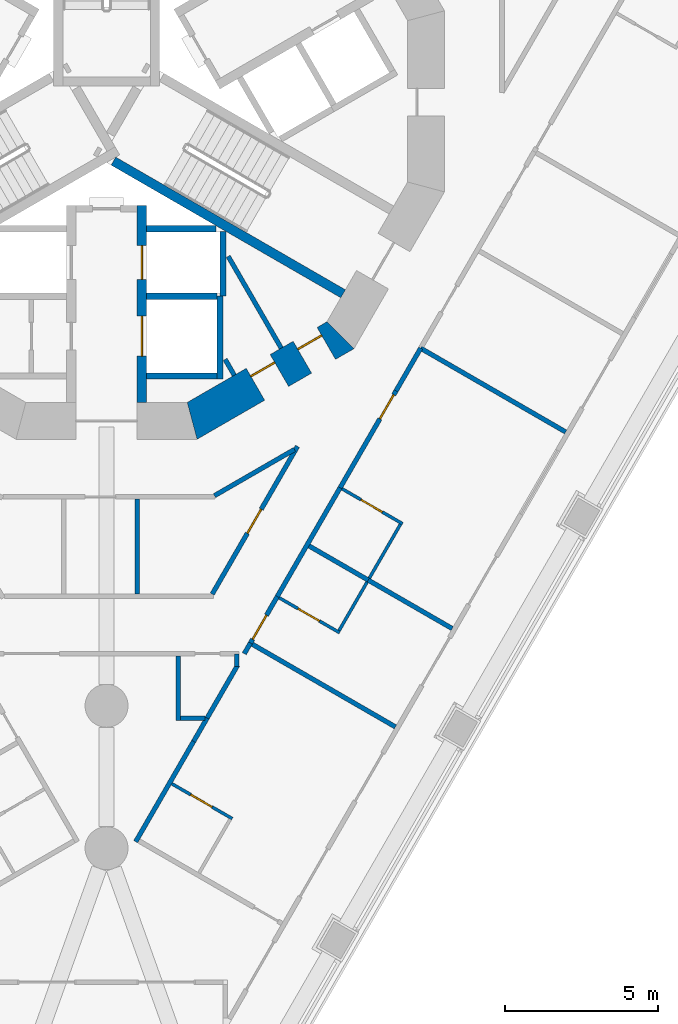
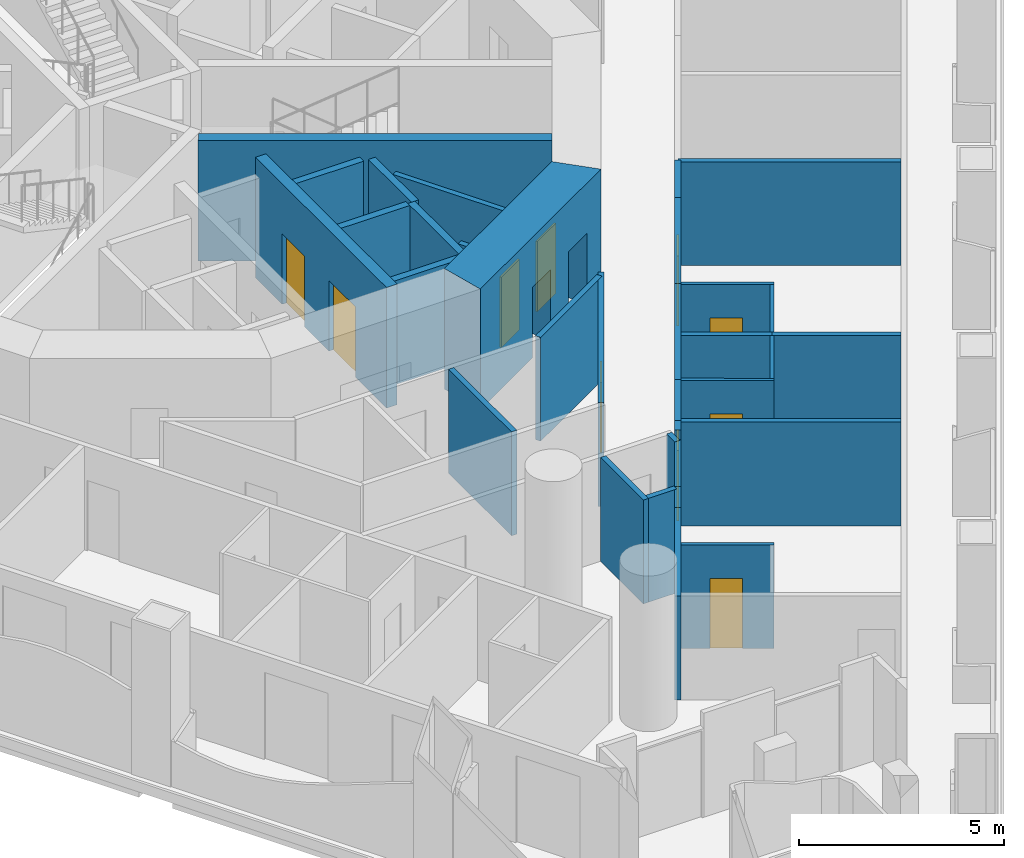
# One storey, part 4 of 19: 33 walls, 10 doors, 10 openings.
"""IFC4 building model written with IfcOpenShell, lengths in metres."""

from ifc_helpers import new_model, si_unit, direction, frame, frame_2d, origin, place, context, subcontext, project, spatial, polyline, rectangle, outline, extrude, material, layer, layer_set, type_object, element, fill, save


model = new_model("IFC4")

# Units and contexts
model_context = context("Model", 3, precision=1e-05, world=origin(), true_north=direction((0.0, 1.0)))
body_context = subcontext(model_context, "Body", "Model", "MODEL_VIEW")
ifc_project = project(units=[si_unit("LENGTHUNIT", "METRE"), si_unit("AREAUNIT", "SQUARE_METRE"), si_unit("VOLUMEUNIT", "CUBIC_METRE"), si_unit("PLANEANGLEUNIT", "RADIAN"), si_unit("MASSUNIT", "GRAM", prefix="KILO")], contexts=[model_context])

# Site, building, storey
site_placement = place(None, origin())
site = spatial("IfcSite", under=ifc_project, at=site_placement, CompositionType="ELEMENT")
building_placement = place(site_placement, origin())
building = spatial("IfcBuilding", under=site, at=building_placement, Name="Trine Commons Tower", CompositionType="ELEMENT")
storey_placement = place(building_placement, frame((0.0, 0.0, 42.300048828125)))
storey = spatial("IfcBuildingStorey", under=building, at=storey_placement, Name="L09", CompositionType="ELEMENT", Elevation=42.300048828125)

# Walls
ifc_material_1 = material(Name="Plasterboard partition on steel studs", Category="steel")
ifc_layer_1 = layer(ifc_material_1, 0.14990234375)
ifc_layer_set_1 = layer_set([ifc_layer_1], Name="Plasterboard partition on steel studs")
wall_type_1 = type_object("IfcWallType", Name="Core room partition 150 mm, EI 60", PredefinedType="PARTITIONING", material=ifc_layer_set_1)
wall_1_placement = place(storey_placement, frame((84.1640625, 53.574951171875, 0.0), z_axis=(0.0, 0.0, 1.0), x_axis=(-0.500665675203, 0.865640734759, 0.0)))
element("IfcWall", 1, at=wall_1_placement, inside=storey, type_object=wall_type_1, Name="Core room partition L09", PredefinedType="PARTITIONING", context=body_context, shape_type="SweptSolid", body=[
    extrude(rectangle(XDim=0.597412109375, YDim=0.14990234375, at=frame_2d((0.298828125, 0.0))), origin(), (0.0, 0.0, 1.0), 3.099853515625),
])
wall_2_placement = place(storey_placement, frame((85.693115234375, 54.4580078125, 0.0), z_axis=(0.0, 0.0, 1.0), x_axis=(-0.500258757272, 0.865875958653, 0.0)))
element("IfcWall", 2, at=wall_2_placement, inside=storey, type_object=wall_type_1, Name="Core room partition L09", PredefinedType="PARTITIONING", context=body_context, shape_type="SweptSolid", body=[
    extrude(rectangle(XDim=3.454345703125, YDim=0.14990234375, at=frame_2d((1.72705078125, 0.0))), origin(), (0.0, 0.0, 1.0), 3.099853515625),
])

# Wall, openings, doors
ifc_material_2 = material(Name="Concrete C80/95", Category="concrete")
ifc_layer_2 = layer(ifc_material_2, 1.199951171875)
ifc_layer_set_2 = layer_set([ifc_layer_2], Name="Concrete C80/95")
wall_type_2 = type_object("IfcWallType", Name="RC shear wall 1200 mm, C80/95", PredefinedType="SHEAR", material=ifc_layer_set_2)
wall_3_placement = place(storey_placement, frame((82.650390625, 52.008056640625, 0.0), z_axis=(0.0, 0.0, 1.0), x_axis=(0.866037463336, 0.499979111662, 0.0)))
wall_3 = element("IfcWall", 3, at=wall_3_placement, inside=storey, type_object=wall_type_2, Name="Core wall CWA-11 L09", PredefinedType="SHEAR", context=body_context, shape_type="SweptSolid", body=[
    extrude(outline(polyline([(0.0, -0.60009765625), (5.901123046875, -0.60009765625), (5.57958984375, 0.60009765625), (0.321533203125, 0.60009765625), (0.0, -0.60009765625)])), origin(), (0.0, 0.0, 1.0), 3.599853515625),
])
opening_1_placement = place(wall_3_placement, frame((2.543701171875, 0.0, 0.0)))
opening_1 = element("IfcOpeningElement", 4, at=opening_1_placement, cuts=wall_3, Name="Opening K04.16", PredefinedType="OPENING", context=body_context, shape_type="SweptSolid", body=[
    extrude(rectangle(XDim=0.89990234375, YDim=2.10009765625, at=frame_2d((0.449951171875, 1.050048828125))), frame((0.0, 0.60986328125, 0.0), z_axis=(0.0, -1.0, 0.0), x_axis=(1.0, 0.0, 0.0)), (0.0, 0.0, 1.0), 1.219970703125),
])
opening_2_placement = place(wall_3_placement, frame((4.308837890625, 0.0, 0.0)))
opening_2 = element("IfcOpeningElement", 5, at=opening_2_placement, cuts=wall_3, Name="Opening K04.17", PredefinedType="OPENING", context=body_context, shape_type="SweptSolid", body=[
    extrude(rectangle(XDim=0.89990234375, YDim=2.10009765625, at=frame_2d((0.449951171875, 1.050048828125))), frame((0.0, 0.60986328125, 0.0), z_axis=(0.0, -1.0, 0.0), x_axis=(1.0, 0.0, 0.0)), (0.0, 0.0, 1.0), 1.219970703125),
])
ifc_material_3 = material(Name="Steel door leaf, fire-rated", Category="steel")
door_type_1 = type_object("IfcDoorType", Name="Core room door, single leaf 900 x 2100, FD30S", OperationType="SINGLE_SWING_LEFT", PredefinedType="DOOR", material=ifc_material_3)
door_1_placement = place(opening_1_placement, origin())
door_1 = element("IfcDoor", 6, at=door_1_placement, inside=storey, type_object=door_type_1, Name="Door to Linen store L09", OperationType="SINGLE_SWING_RIGHT", OverallHeight=2.10009765625, OverallWidth=0.89990234375, PredefinedType="DOOR", context=body_context, shape_type="SweptSolid", body=[
    extrude(rectangle(XDim=0.89990234375, YDim=2.10009765625, at=frame_2d((0.449951171875, 1.050048828125))), frame((0.0, 0.3251953125, 0.0), z_axis=(0.0, -1.0, 0.0), x_axis=(1.0, 0.0, 0.0)), (0.0, 0.0, 1.0), 0.050048828125),
])
fill(opening_1, door_1)
door_2_placement = place(opening_2_placement, origin())
door_2 = element("IfcDoor", 7, at=door_2_placement, inside=storey, type_object=door_type_1, Name="Door to Pantry L09", OperationType="SINGLE_SWING_RIGHT", OverallHeight=2.10009765625, OverallWidth=0.89990234375, PredefinedType="DOOR", context=body_context, shape_type="SweptSolid", body=[
    extrude(rectangle(XDim=0.89990234375, YDim=2.10009765625, at=frame_2d((0.449951171875, 1.050048828125))), frame((0.0, 0.3251953125, 0.0), z_axis=(0.0, -1.0, 0.0), x_axis=(1.0, 0.0, 0.0)), (0.0, 0.0, 1.0), 0.050048828125),
])
fill(opening_2, door_2)

ifc_layer_3 = layer(ifc_material_2, 0.300048828125)
ifc_layer_set_3 = layer_set([ifc_layer_3], Name="Concrete C80/95")
wall_type_3 = type_object("IfcWallType", Name="RC shear wall 300 mm, C80/95", PredefinedType="SHEAR", material=ifc_layer_set_3)
wall_4_placement = place(storey_placement, frame((81.14990234375, 59.10009765625, 0.0), z_axis=(0.0, 0.0, 1.0), x_axis=(0.0, -1.0, 0.0)))
wall_4 = element("IfcWall", 8, at=wall_4_placement, inside=storey, type_object=wall_type_3, Name="Core cross wall SWA-04 L09", PredefinedType="SHEAR", context=body_context, shape_type="SweptSolid", body=[
    extrude(rectangle(XDim=6.412109375, YDim=0.300048828125, at=frame_2d((3.2060546875, 0.0))), origin(), (0.0, 0.0, 1.0), 3.599853515625),
])
opening_3_placement = place(wall_4_placement, frame((3.60009765625, 0.0, 0.0)))
opening_3 = element("IfcOpeningElement", 9, at=opening_3_placement, cuts=wall_4, Name="Opening LD11", PredefinedType="OPENING", context=body_context, shape_type="SweptSolid", body=[
    extrude(rectangle(XDim=1.300048828125, YDim=2.10009765625, at=frame_2d((0.64990234375, 1.050048828125))), frame((0.0, 0.159912109375, 0.0), z_axis=(0.0, -1.0, 0.0), x_axis=(1.0, 0.0, 0.0)), (0.0, 0.0, 1.0), 0.320068359375),
])
opening_4_placement = place(wall_4_placement, frame((1.300048828125, 0.0, 0.0)))
opening_4 = element("IfcOpeningElement", 10, at=opening_4_placement, cuts=wall_4, Name="Opening LD9", PredefinedType="OPENING", context=body_context, shape_type="SweptSolid", body=[
    extrude(rectangle(XDim=1.10009765625, YDim=2.10009765625, at=frame_2d((0.550048828125, 1.050048828125))), frame((0.0, 0.159912109375, 0.0), z_axis=(0.0, -1.0, 0.0), x_axis=(1.0, 0.0, 0.0)), (0.0, 0.0, 1.0), 0.320068359375),
])
ifc_material_4 = material(Name="Stainless steel sliding door leaves", Category="steel")
door_type_2 = type_object("IfcDoorType", Name="Lift landing door, centre-opening sliding 1100 x 2100, FD90", OperationType="DOUBLE_DOOR_SLIDING", PredefinedType="DOOR", material=ifc_material_4)
door_3_placement = place(opening_4_placement, origin())
door_3 = element("IfcDoor", 11, at=door_3_placement, inside=storey, type_object=door_type_2, Name="Lift landing door FF1 L09", OperationType="DOUBLE_DOOR_SLIDING", OverallHeight=2.10009765625, OverallWidth=1.10009765625, PredefinedType="DOOR", context=body_context, shape_type="SweptSolid", body=[
    extrude(rectangle(XDim=1.10009765625, YDim=2.10009765625, at=frame_2d((0.550048828125, 1.050048828125))), frame((0.0, 0.02490234375, 0.0), z_axis=(0.0, -1.0, 0.0), x_axis=(1.0, 0.0, 0.0)), (0.0, 0.0, 1.0), 0.050048828125),
])
fill(opening_4, door_3)
door_type_3 = type_object("IfcDoorType", Name="Lift landing door, centre-opening sliding 1300 x 2100, FD90", OperationType="DOUBLE_DOOR_SLIDING", PredefinedType="DOOR", material=ifc_material_4)
door_4_placement = place(opening_3_placement, origin())
door_4 = element("IfcDoor", 12, at=door_4_placement, inside=storey, type_object=door_type_3, Name="Lift landing door G1 L09", OperationType="DOUBLE_DOOR_SLIDING", OverallHeight=2.10009765625, OverallWidth=1.300048828125, PredefinedType="DOOR", context=body_context, shape_type="SweptSolid", body=[
    extrude(rectangle(XDim=1.300048828125, YDim=2.10009765625, at=frame_2d((0.64990234375, 1.050048828125))), frame((0.0, 0.02490234375, 0.0), z_axis=(0.0, -1.0, 0.0), x_axis=(1.0, 0.0, 0.0)), (0.0, 0.0, 1.0), 0.050048828125),
])
fill(opening_3, door_4)

# Walls
wall_5_placement = place(storey_placement, frame((80.22509765625, 60.552001953125, 0.0), z_axis=(0.0, 0.0, 1.0), x_axis=(0.865965399159, -0.500103916661, 0.0)))
element("IfcWall", 13, at=wall_5_placement, inside=storey, type_object=wall_type_3, Name="Core cross wall SWA-13 L09", PredefinedType="SHEAR", context=body_context, shape_type="SweptSolid", body=[
    extrude(rectangle(XDim=8.642333984375, YDim=0.300048828125, at=frame_2d((4.3212890625, 0.0))), origin(), (0.0, 0.0, 1.0), 3.599853515625),
])
ifc_material_5 = material(Name="Fire-rated gypsum shaft wall system")
ifc_layer_4 = layer(ifc_material_5, 0.199951171875)
ifc_layer_set_4 = layer_set([ifc_layer_4], Name="Fire-rated gypsum shaft wall system")
wall_type_4 = type_object("IfcWallType", Name="Shaft wall 200 mm, EI 120", PredefinedType="PARTITIONING", material=ifc_layer_set_4)
for number, where, z_axis, x_axis, name in (
    (14, (81.300048828125, 53.550048828125, 0.0), (0.0, 0.0, 1.0), (1.0, 0.0, 0.0), "Shaft wall L09"),
    (15, (81.300048828125, 56.14990234375, 0.0), (0.0, 0.0, 1.0), (1.0, 0.0, 0.0), "Shaft wall L09"),
):
    element("IfcWall", number, at=place(storey_placement, frame(where, z_axis=z_axis, x_axis=x_axis)), inside=storey, type_object=wall_type_4, Name=name, PredefinedType="PARTITIONING", context=body_context, shape_type="SweptSolid", body=[
        extrude(rectangle(XDim=2.300048828125, YDim=0.199951171875, at=frame_2d((1.14990234375, 0.0))), origin(), (0.0, 0.0, 1.0), 3.099853515625),
    ])
wall_6_placement = place(storey_placement, frame((81.300048828125, 58.35009765625, 0.0), z_axis=(0.0, 0.0, 1.0), x_axis=(1.0, 0.0, 0.0)))
element("IfcWall", 16, at=wall_6_placement, inside=storey, type_object=wall_type_4, Name="Shaft wall L09", PredefinedType="PARTITIONING", context=body_context, shape_type="SweptSolid", body=[
    extrude(rectangle(XDim=2.264892578125, YDim=0.199951171875, at=frame_2d((1.13232421875, 0.0))), origin(), (0.0, 0.0, 1.0), 3.099853515625),
])
wall_7_placement = place(storey_placement, frame((83.699951171875, 56.14990234375, 0.0), z_axis=(0.0, 0.0, 1.0), x_axis=(0.0, -1.0, 0.0)))
element("IfcWall", 17, at=wall_7_placement, inside=storey, type_object=wall_type_4, Name="Shaft wall L09", PredefinedType="PARTITIONING", context=body_context, shape_type="SweptSolid", body=[
    extrude(rectangle(XDim=2.699951171875, YDim=0.199951171875, at=frame_2d((1.35009765625, 0.0))), origin(), (0.0, 0.0, 1.0), 3.099853515625),
])
wall_8_placement = place(storey_placement, frame((83.800048828125, 58.256103515625, 0.0), z_axis=(0.0, 0.0, 1.0), x_axis=(0.0, -1.0, 0.0)))
element("IfcWall", 18, at=wall_8_placement, inside=storey, type_object=wall_type_4, Name="Shaft wall L09", PredefinedType="PARTITIONING", context=body_context, shape_type="SweptSolid", body=[
    extrude(rectangle(XDim=2.106201171875, YDim=0.199951171875, at=frame_2d((1.05322265625, 0.0))), origin(), (0.0, 0.0, 1.0), 3.099853515625),
])
ifc_material_6 = material(Name="Gypsum plasterboard on steel stud", Category="steel")
ifc_layer_5 = layer(ifc_material_6, 0.14990234375)
ifc_layer_set_5 = layer_set([ifc_layer_5], Name="Gypsum plasterboard on steel stud")
wall_type_5 = type_object("IfcWallType", Name="Unit and corridor wall 150 mm, EI 60", PredefinedType="PARTITIONING", material=ifc_layer_set_5)
wall_9_placement = place(storey_placement, frame((80.950439453125, 38.3740234375, 0.0), z_axis=(0.0, 0.0, 1.0), x_axis=(0.500125622755, 0.865952863304, 0.0)))
element("IfcWall", 19, at=wall_9_placement, inside=storey, type_object=wall_type_5, Name="Partition 062", PredefinedType="PARTITIONING", context=body_context, shape_type="SweptSolid", body=[
    extrude(rectangle(XDim=3.77392578125, YDim=0.14990234375, at=frame_2d((1.886962890625, 0.0))), origin(), (0.0, 0.0, 1.0), 3.099853515625),
])
wall_10_placement = place(storey_placement, frame((81.0, 46.452880859375, 0.0), z_axis=(0.0, 0.0, 1.0), x_axis=(0.0, 1.0, 0.0)))
element("IfcWall", 20, at=wall_10_placement, inside=storey, type_object=wall_type_5, Name="Partition 064", PredefinedType="PARTITIONING", context=body_context, shape_type="SweptSolid", body=[
    extrude(rectangle(XDim=3.085205078125, YDim=0.14990234375, at=frame_2d((1.54248046875, 0.0))), origin(), (0.0, 0.0, 1.0), 3.099853515625),
])
wall_11_placement = place(storey_placement, frame((82.340087890625, 42.327880859375, 0.0), z_axis=(0.0, 0.0, 1.0), x_axis=(0.0, 1.0, 0.0)))
element("IfcWall", 21, at=wall_11_placement, inside=storey, type_object=wall_type_5, Name="Partition 067", PredefinedType="PARTITIONING", context=body_context, shape_type="SweptSolid", body=[
    extrude(rectangle(XDim=2.10009765625, YDim=0.14990234375, at=frame_2d((1.050048828125, 0.0))), origin(), (0.0, 0.0, 1.0), 3.099853515625),
])
wall_12_placement = place(storey_placement, frame((82.4150390625, 42.403076171875, 0.0), z_axis=(0.0, 0.0, 1.0), x_axis=(1.0, 0.0, 0.0)))
element("IfcWall", 22, at=wall_12_placement, inside=storey, type_object=wall_type_5, Name="Partition 068", PredefinedType="PARTITIONING", context=body_context, shape_type="SweptSolid", body=[
    extrude(rectangle(XDim=0.786865234375, YDim=0.14990234375, at=frame_2d((0.3935546875, 0.0))), origin(), (0.0, 0.0, 1.0), 3.099853515625),
])
wall_13_placement = place(storey_placement, frame((82.837890625, 41.64208984375, 0.0), z_axis=(0.0, 0.0, 1.0), x_axis=(0.499874792173, 0.86609768049, 0.0)))
element("IfcWall", 23, at=wall_13_placement, inside=storey, type_object=wall_type_5, Name="Partition 069", PredefinedType="PARTITIONING", context=body_context, shape_type="SweptSolid", body=[
    extrude(rectangle(XDim=0.878662109375, YDim=0.14990234375, at=frame_2d((0.439453125, 0.0))), origin(), (0.0, 0.0, 1.0), 3.099853515625),
])
wall_14_placement = place(storey_placement, frame((83.277099609375, 42.403076171875, 0.0), z_axis=(0.0, 0.0, 1.0), x_axis=(0.500208453646, 0.865905019561, 0.0)))
element("IfcWall", 24, at=wall_14_placement, inside=storey, type_object=wall_type_5, Name="Partition 071", PredefinedType="PARTITIONING", context=body_context, shape_type="SweptSolid", body=[
    extrude(rectangle(XDim=2.000244140625, YDim=0.14990234375, at=frame_2d((1.0, 0.0))), origin(), (0.0, 0.0, 1.0), 3.099853515625),
])

# Wall, opening, door
wall_15_placement = place(storey_placement, frame((83.444580078125, 46.443115234375, 0.0), z_axis=(0.0, 0.0, 1.0), x_axis=(0.500003847982, 0.86602318214, 0.0)))
wall_15 = element("IfcWall", 25, at=wall_15_placement, inside=storey, type_object=wall_type_5, Name="Partition 074", PredefinedType="PARTITIONING", context=body_context, shape_type="SweptSolid", body=[
    extrude(rectangle(XDim=5.5576171875, YDim=0.14990234375, at=frame_2d((2.77880859375, 0.0))), origin(), (0.0, 0.0, 1.0), 3.099853515625),
])
opening_5_placement = place(wall_15_placement, frame((2.29150390625, 0.0, 0.0)))
opening_5 = element("IfcOpeningElement", 26, at=opening_5_placement, cuts=wall_15, Name="Opening D-1B31", PredefinedType="OPENING", context=body_context, shape_type="SweptSolid", body=[
    extrude(rectangle(XDim=0.89990234375, YDim=2.10009765625, at=frame_2d((0.449951171875, 1.050048828125))), frame((0.0, 0.0849609375, 0.0), z_axis=(0.0, -1.0, 0.0), x_axis=(1.0, 0.0, 0.0)), (0.0, 0.0, 1.0), 0.169921875),
])
ifc_material_7 = material(Name="Timber fire door set", Category="wood")
door_type_4 = type_object("IfcDoorType", Name="Service door 900 x 2100, FD30S", OperationType="NOTDEFINED", PredefinedType="DOOR", material=ifc_material_7)
door_5_placement = place(opening_5_placement, origin())
door_5 = element("IfcDoor", 27, at=door_5_placement, inside=storey, type_object=door_type_4, Name="Door D-1B31", OperationType="SINGLE_SWING_LEFT", OverallHeight=2.10009765625, OverallWidth=0.89990234375, PredefinedType="DOOR", context=body_context, shape_type="SweptSolid", body=[
    extrude(rectangle(XDim=0.89990234375, YDim=2.10009765625, at=frame_2d((0.449951171875, 1.050048828125))), frame((0.0, 0.02490234375, 0.0), z_axis=(0.0, -1.0, 0.0), x_axis=(1.0, 0.0, 0.0)), (0.0, 0.0, 1.0), 0.050048828125),
])
fill(opening_5, door_5)

# Walls
wall_16_placement = place(storey_placement, frame((83.517822265625, 49.650390625, 0.0), z_axis=(0.0, 0.0, 1.0), x_axis=(0.865962665808, 0.500108649621, 0.0)))
element("IfcWall", 28, at=wall_16_placement, inside=storey, type_object=wall_type_5, Name="Partition 075", PredefinedType="PARTITIONING", context=body_context, shape_type="SweptSolid", body=[
    extrude(rectangle(XDim=3.009521484375, YDim=0.14990234375, at=frame_2d((1.5048828125, 0.0))), origin(), (0.0, 0.0, 1.0), 3.099853515625),
])
wall_17_placement = place(storey_placement, frame((84.239990234375, 44.08642578125, 0.0), z_axis=(0.0, 0.0, 1.0), x_axis=(0.0, 1.0, 0.0)))
element("IfcWall", 29, at=wall_17_placement, inside=storey, type_object=wall_type_5, Name="Partition 076", PredefinedType="PARTITIONING", context=body_context, shape_type="SweptSolid", body=[
    extrude(rectangle(XDim=0.400146484375, YDim=0.14990234375, at=frame_2d((0.2001953125, 0.0))), origin(), (0.0, 0.0, 1.0), 3.099853515625),
])
wall_18_placement = place(storey_placement, frame((84.489501953125, 44.502197265625, 0.0), z_axis=(0.0, 0.0, 1.0), x_axis=(0.499880961361, 0.866094119867, 0.0)))
element("IfcWall", 30, at=wall_18_placement, inside=storey, type_object=wall_type_5, Name="Partition 077", PredefinedType="PARTITIONING", context=body_context, shape_type="SweptSolid", body=[
    extrude(rectangle(XDim=0.39990234375, YDim=0.14990234375, at=frame_2d((0.199951171875, 0.0))), origin(), (0.0, 0.0, 1.0), 3.099853515625),
])

# Wall, opening, door
wall_19_placement = place(storey_placement, frame((84.6484375, 44.777099609375, 0.0), z_axis=(0.0, 0.0, 1.0), x_axis=(0.499953268774, 0.866052382389, 0.0)))
wall_19 = element("IfcWall", 31, at=wall_19_placement, inside=storey, type_object=wall_type_5, Name="Partition 078", PredefinedType="PARTITIONING", context=body_context, shape_type="SweptSolid", body=[
    extrude(rectangle(XDim=1.831298828125, YDim=0.14990234375, at=frame_2d((0.91552734375, 0.0))), origin(), (0.0, 0.0, 1.0), 3.099853515625),
])
opening_6_placement = place(wall_19_placement, frame((0.22802734375, 0.0, 0.0)))
opening_6 = element("IfcOpeningElement", 32, at=opening_6_placement, cuts=wall_19, Name="Opening D-1B21", PredefinedType="OPENING", context=body_context, shape_type="SweptSolid", body=[
    extrude(rectangle(XDim=0.89990234375, YDim=2.10009765625, at=frame_2d((0.449951171875, 1.050048828125))), frame((0.0, 0.0849609375, 0.0), z_axis=(0.0, -1.0, 0.0), x_axis=(1.0, 0.0, 0.0)), (0.0, 0.0, 1.0), 0.169921875),
])
door_type_5 = type_object("IfcDoorType", Name="Bedroom door 900 x 2100, FD30S", OperationType="NOTDEFINED", PredefinedType="DOOR", material=ifc_material_7)
door_6_placement = place(opening_6_placement, frame((0.89990234375, 0.0, 0.0), z_axis=(0.0, 0.0, 1.0), x_axis=(-1.0, 0.0, 0.0)))
door_6 = element("IfcDoor", 33, at=door_6_placement, inside=storey, type_object=door_type_5, Name="Door D-1B21", OperationType="SINGLE_SWING_RIGHT", OverallHeight=2.10009765625, OverallWidth=0.89990234375, PredefinedType="DOOR", context=body_context, shape_type="SweptSolid", body=[
    extrude(rectangle(XDim=0.89990234375, YDim=2.10009765625, at=frame_2d((0.449951171875, 1.050048828125))), frame((0.0, 0.02490234375, 0.0), z_axis=(0.0, -1.0, 0.0), x_axis=(1.0, 0.0, 0.0)), (0.0, 0.0, 1.0), 0.050048828125),
])
fill(opening_6, door_6)

# Walls
wall_20_placement = place(storey_placement, frame((84.751953125, 44.8076171875, 0.0), z_axis=(0.0, 0.0, 1.0), x_axis=(0.866038326347, -0.499977616797, 0.0)))
element("IfcWall", 34, at=wall_20_placement, inside=storey, type_object=wall_type_5, Name="Partition 079", PredefinedType="PARTITIONING", context=body_context, shape_type="SweptSolid", body=[
    extrude(rectangle(XDim=5.383544921875, YDim=0.14990234375, at=frame_2d((2.69189453125, 0.0))), origin(), (0.0, 0.0, 1.0), 3.099853515625),
])
wall_21_placement = place(storey_placement, frame((85.56005859375, 46.35693359375, 0.0), z_axis=(0.0, 0.0, 1.0), x_axis=(0.500044870432, 0.865999496279, 0.0)))
element("IfcWall", 35, at=wall_21_placement, inside=storey, type_object=wall_type_5, Name="Partition 081", PredefinedType="PARTITIONING", context=body_context, shape_type="SweptSolid", body=[
    extrude(rectangle(XDim=4.107421875, YDim=0.14990234375, at=frame_2d((2.0537109375, 0.0))), origin(), (0.0, 0.0, 1.0), 3.099853515625),
])
wall_22_placement = place(storey_placement, frame((86.601806640625, 48.011474609375, 0.0), z_axis=(0.0, 0.0, 1.0), x_axis=(0.865944298464, -0.500140452231, 0.0)))
element("IfcWall", 36, at=wall_22_placement, inside=storey, type_object=wall_type_5, Name="Partition 083", PredefinedType="PARTITIONING", context=body_context, shape_type="SweptSolid", body=[
    extrude(rectangle(XDim=2.224365234375, YDim=0.14990234375, at=frame_2d((1.1123046875, 0.0))), origin(), (0.0, 0.0, 1.0), 3.099853515625),
])

# Wall, opening, door
wall_23_placement = place(storey_placement, frame((87.611083984375, 49.907958984375, 0.0), z_axis=(0.0, 0.0, 1.0), x_axis=(0.499948491166, 0.866055140381, 0.0)))
wall_23 = element("IfcWall", 37, at=wall_23_placement, inside=storey, type_object=wall_type_5, Name="Partition 087", PredefinedType="PARTITIONING", context=body_context, shape_type="SweptSolid", body=[
    extrude(rectangle(XDim=3.646484375, YDim=0.14990234375, at=frame_2d((1.8232421875, 0.0))), origin(), (0.0, 0.0, 1.0), 3.099853515625),
])
opening_7_placement = place(wall_23_placement, frame((2.596435546875, 0.0, 0.0)))
opening_7 = element("IfcOpeningElement", 38, at=opening_7_placement, cuts=wall_23, Name="Opening D-1B20", PredefinedType="OPENING", context=body_context, shape_type="SweptSolid", body=[
    extrude(rectangle(XDim=0.89990234375, YDim=2.10009765625, at=frame_2d((0.449951171875, 1.050048828125))), frame((0.0, 0.0849609375, 0.0), z_axis=(0.0, -1.0, 0.0), x_axis=(1.0, 0.0, 0.0)), (0.0, 0.0, 1.0), 0.169921875),
])
door_7_placement = place(opening_7_placement, frame((0.89990234375, 0.0, 0.0), z_axis=(0.0, 0.0, 1.0), x_axis=(-1.0, 0.0, 0.0)))
door_7 = element("IfcDoor", 39, at=door_7_placement, inside=storey, type_object=door_type_5, Name="Door D-1B20", OperationType="SINGLE_SWING_LEFT", OverallHeight=2.10009765625, OverallWidth=0.89990234375, PredefinedType="DOOR", context=body_context, shape_type="SweptSolid", body=[
    extrude(rectangle(XDim=0.89990234375, YDim=2.10009765625, at=frame_2d((0.449951171875, 1.050048828125))), frame((0.0, 0.02490234375, 0.0), z_axis=(0.0, -1.0, 0.0), x_axis=(1.0, 0.0, 0.0)), (0.0, 0.0, 1.0), 0.050048828125),
])
fill(opening_7, door_7)

# Walls
wall_24_placement = place(storey_placement, frame((88.528076171875, 46.89892578125, 0.0), z_axis=(0.0, 0.0, 1.0), x_axis=(0.866080039333, -0.499905356512, 0.0)))
element("IfcWall", 40, at=wall_24_placement, inside=storey, type_object=wall_type_5, Name="Partition 090", PredefinedType="PARTITIONING", context=body_context, shape_type="SweptSolid", body=[
    extrude(rectangle(XDim=3.158203125, YDim=0.14990234375, at=frame_2d((1.5791015625, 0.0))), origin(), (0.0, 0.0, 1.0), 3.099853515625),
])
wall_25_placement = place(storey_placement, frame((89.43408203125, 53.06591796875, 0.0), z_axis=(0.0, 0.0, 1.0), x_axis=(0.500108062855, 0.865963004676, 0.0)))
element("IfcWall", 41, at=wall_25_placement, inside=storey, type_object=wall_type_5, Name="Partition 093", PredefinedType="PARTITIONING", context=body_context, shape_type="SweptSolid", body=[
    extrude(rectangle(XDim=1.607666015625, YDim=0.14990234375, at=frame_2d((0.8037109375, 0.0))), origin(), (0.0, 0.0, 1.0), 3.099853515625),
])
wall_26_placement = place(storey_placement, frame((90.236083984375, 54.455078125, 0.0), z_axis=(0.0, 0.0, 1.0), x_axis=(0.866004557827, -0.500036104519, 0.0)))
element("IfcWall", 42, at=wall_26_placement, inside=storey, type_object=wall_type_5, Name="Partition 096", PredefinedType="PARTITIONING", context=body_context, shape_type="SweptSolid", body=[
    extrude(rectangle(XDim=5.45751953125, YDim=0.14990234375, at=frame_2d((2.728759765625, 0.0))), origin(), (0.0, 0.0, 1.0), 3.099853515625),
])

# Wall, opening, door
ifc_layer_6 = layer(ifc_material_6, 0.10009765625)
ifc_layer_set_6 = layer_set([ifc_layer_6], Name="Gypsum plasterboard on steel stud")
wall_type_6 = type_object("IfcWallType", Name="Unit partition 100 mm, no rating", PredefinedType="PARTITIONING", material=ifc_layer_set_6)
wall_27_placement = place(storey_placement, frame((82.1279296875, 40.262451171875, 0.0), z_axis=(0.0, 0.0, 1.0), x_axis=(0.866062295389, -0.499936096422, 0.0)))
wall_27 = element("IfcWall", 43, at=wall_27_placement, inside=storey, type_object=wall_type_6, Name="Partition 066", PredefinedType="PARTITIONING", context=body_context, shape_type="SweptSolid", body=[
    extrude(rectangle(XDim=2.275146484375, YDim=0.10009765625, at=frame_2d((1.1376953125, 0.0))), origin(), (0.0, 0.0, 1.0), 3.099853515625),
])
opening_8_placement = place(wall_27_placement, frame((0.712646484375, 0.0, 0.0)))
opening_8 = element("IfcOpeningElement", 44, at=opening_8_placement, cuts=wall_27, Name="Opening D-1B49", PredefinedType="OPENING", context=body_context, shape_type="SweptSolid", body=[
    extrude(rectangle(XDim=0.800048828125, YDim=2.10009765625, at=frame_2d((0.39990234375, 1.050048828125))), frame((0.0, 0.06005859375, 0.0), z_axis=(0.0, -1.0, 0.0), x_axis=(1.0, 0.0, 0.0)), (0.0, 0.0, 1.0), 0.1201171875),
])
ifc_material_8 = material(Name="Painted timber", Category="wood")
door_type_6 = type_object("IfcDoorType", Name="Internal door 800 x 2100, NOT RATED", OperationType="NOTDEFINED", PredefinedType="DOOR", material=ifc_material_8)
door_8_placement = place(opening_8_placement, origin())
door_8 = element("IfcDoor", 45, at=door_8_placement, inside=storey, type_object=door_type_6, Name="Door D-1B49", OperationType="SINGLE_SWING_LEFT", OverallHeight=2.10009765625, OverallWidth=0.800048828125, PredefinedType="DOOR", context=body_context, shape_type="SweptSolid", body=[
    extrude(rectangle(XDim=0.800048828125, YDim=2.10009765625, at=frame_2d((0.39990234375, 1.050048828125))), frame((0.0, 0.02490234375, 0.0), z_axis=(0.0, -1.0, 0.0), x_axis=(1.0, 0.0, 0.0)), (0.0, 0.0, 1.0), 0.050048828125),
])
fill(opening_8, door_8)

wall_28_placement = place(storey_placement, frame((85.626953125, 46.322509765625, 0.0), z_axis=(0.0, 0.0, 1.0), x_axis=(0.86592810434, -0.500168489725, 0.0)))
wall_28 = element("IfcWall", 46, at=wall_28_placement, inside=storey, type_object=wall_type_6, Name="Partition 082", PredefinedType="PARTITIONING", context=body_context, shape_type="SweptSolid", body=[
    extrude(rectangle(XDim=2.274169921875, YDim=0.10009765625, at=frame_2d((1.13720703125, 0.0))), origin(), (0.0, 0.0, 1.0), 3.099853515625),
])
opening_9_placement = place(wall_28_placement, frame((0.712158203125, 0.0, 0.0)))
opening_9 = element("IfcOpeningElement", 47, at=opening_9_placement, cuts=wall_28, Name="Opening D-1B48", PredefinedType="OPENING", context=body_context, shape_type="SweptSolid", body=[
    extrude(rectangle(XDim=0.800048828125, YDim=2.10009765625, at=frame_2d((0.39990234375, 1.050048828125))), frame((0.0, 0.06005859375, 0.0), z_axis=(0.0, -1.0, 0.0), x_axis=(1.0, 0.0, 0.0)), (0.0, 0.0, 1.0), 0.1201171875),
])
door_9_placement = place(opening_9_placement, frame((0.800048828125, 0.0, 0.0), z_axis=(0.0, 0.0, 1.0), x_axis=(-1.0, 0.0, 0.0)))
door_9 = element("IfcDoor", 48, at=door_9_placement, inside=storey, type_object=door_type_6, Name="Door D-1B48", OperationType="SINGLE_SWING_RIGHT", OverallHeight=2.10009765625, OverallWidth=0.800048828125, PredefinedType="DOOR", context=body_context, shape_type="SweptSolid", body=[
    extrude(rectangle(XDim=0.800048828125, YDim=2.10009765625, at=frame_2d((0.39990234375, 1.050048828125))), frame((0.0, 0.02490234375, 0.0), z_axis=(0.0, -1.0, 0.0), x_axis=(1.0, 0.0, 0.0)), (0.0, 0.0, 1.0), 0.050048828125),
])
fill(opening_9, door_9)

# Wall
wall_29_placement = place(storey_placement, frame((87.577880859375, 45.25341796875, 0.0), z_axis=(0.0, 0.0, 1.0), x_axis=(0.500023511883, 0.866011828767, 0.0)))
element("IfcWall", 49, at=wall_29_placement, inside=storey, type_object=wall_type_6, Name="Partition 086", PredefinedType="PARTITIONING", context=body_context, shape_type="SweptSolid", body=[
    extrude(rectangle(XDim=1.8251953125, YDim=0.10009765625, at=frame_2d((0.91259765625, 0.0))), origin(), (0.0, 0.0, 1.0), 3.099853515625),
])

# Wall, opening, door
wall_30_placement = place(storey_placement, frame((87.677001953125, 49.87353515625, 0.0), z_axis=(0.0, 0.0, 1.0), x_axis=(0.865742097801, -0.500490379624, 0.0)))
wall_30 = element("IfcWall", 50, at=wall_30_placement, inside=storey, type_object=wall_type_6, Name="Partition 088", PredefinedType="PARTITIONING", context=body_context, shape_type="SweptSolid", body=[
    extrude(rectangle(XDim=2.274658203125, YDim=0.10009765625, at=frame_2d((1.13720703125, 0.0))), origin(), (0.0, 0.0, 1.0), 3.099853515625),
])
opening_10_placement = place(wall_30_placement, frame((0.71240234375, 0.0, 0.0)))
opening_10 = element("IfcOpeningElement", 51, at=opening_10_placement, cuts=wall_30, Name="Opening D-1B47", PredefinedType="OPENING", context=body_context, shape_type="SweptSolid", body=[
    extrude(rectangle(XDim=0.800048828125, YDim=2.10009765625, at=frame_2d((0.39990234375, 1.050048828125))), frame((0.0, 0.06005859375, 0.0), z_axis=(0.0, -1.0, 0.0), x_axis=(1.0, 0.0, 0.0)), (0.0, 0.0, 1.0), 0.1201171875),
])
door_10_placement = place(opening_10_placement, origin())
door_10 = element("IfcDoor", 52, at=door_10_placement, inside=storey, type_object=door_type_6, Name="Door D-1B47", OperationType="SINGLE_SWING_LEFT", OverallHeight=2.10009765625, OverallWidth=0.800048828125, PredefinedType="DOOR", context=body_context, shape_type="SweptSolid", body=[
    extrude(rectangle(XDim=0.800048828125, YDim=2.10009765625, at=frame_2d((0.39990234375, 1.050048828125))), frame((0.0, 0.02490234375, 0.0), z_axis=(0.0, -1.0, 0.0), x_axis=(1.0, 0.0, 0.0)), (0.0, 0.0, 1.0), 0.050048828125),
])
fill(opening_10, door_10)

# Wall
wall_31_placement = place(storey_placement, frame((88.5654296875, 46.9638671875, 0.0), z_axis=(0.0, 0.0, 1.0), x_axis=(0.500146985649, 0.865940524948, 0.0)))
element("IfcWall", 53, at=wall_31_placement, inside=storey, type_object=wall_type_6, Name="Partition 089", PredefinedType="PARTITIONING", context=body_context, shape_type="SweptSolid", body=[
    extrude(rectangle(XDim=2.0244140625, YDim=0.10009765625, at=frame_2d((1.01220703125, 0.0))), origin(), (0.0, 0.0, 1.0), 3.099853515625),
])

save(model, "model.ifc")
